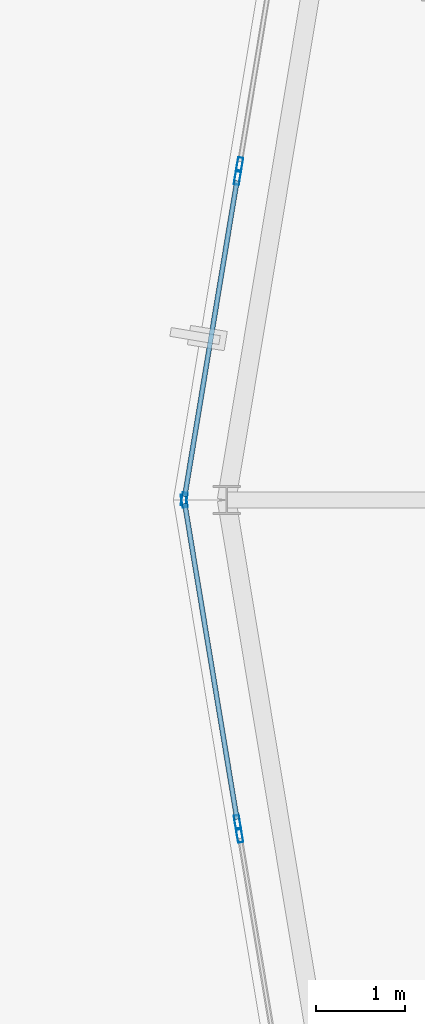
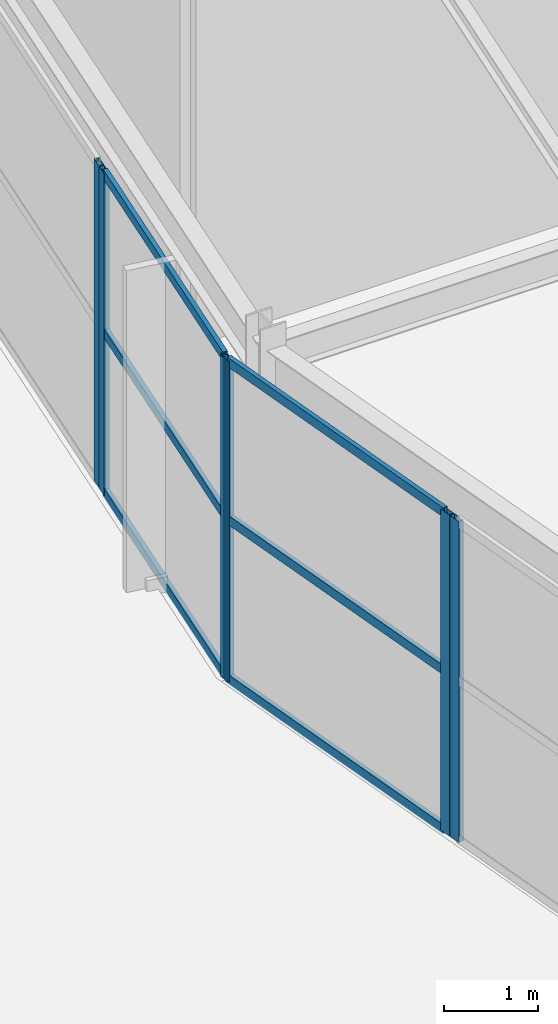
# One storey, part 31 of 126: 12 members, 4 elements without a shape of their own.
"""IFC4 building model written with IfcOpenShell, lengths in metres."""

from ifc_helpers import new_model, si_unit, direction, frame, origin, origin_2d, place, context, subcontext, project, spatial, hollow_rectangle, extrude, material, layer, layer_set, material_profile, profile_set, type_object, element, aggregate, save


model = new_model("IFC4")

# Units and contexts
model_context = context("Model", 3, precision=1e-05, world=origin(), true_north=direction((0.0, 1.0)))
body_context = subcontext(model_context, "Body", "Model", "MODEL_VIEW")
ifc_project = project(units=[si_unit("LENGTHUNIT", "METRE"), si_unit("AREAUNIT", "SQUARE_METRE"), si_unit("VOLUMEUNIT", "CUBIC_METRE"), si_unit("PLANEANGLEUNIT", "RADIAN"), si_unit("MASSUNIT", "GRAM", prefix="KILO")], contexts=[model_context])

# Site, building, storey
site_placement = place(None, origin())
site = spatial("IfcSite", under=ifc_project, at=site_placement, CompositionType="ELEMENT")
building_placement = place(site_placement, origin())
building = spatial("IfcBuilding", under=site, at=building_placement, Name="Kalgoora Escarpment Arena", CompositionType="ELEMENT")
storey_placement = place(building_placement, frame((0.0, 0.0, 18.89990234375)))
storey = spatial("IfcBuildingStorey", under=building, at=storey_placement, Name="L04", CompositionType="ELEMENT", Elevation=18.89990234375)

# Curtain wall, member
ifc_material_1 = material(Name=" Champagne anodised aluminium & double-glazed low-E", Category="aluminium")
ifc_layer_1 = layer(ifc_material_1, 0.157958984375)
ifc_layer_set_1 = layer_set([ifc_layer_1], Name="CW-UNIT-17")
curtain_wall_type_1 = type_object("IfcCurtainWallType", Name="CW-UNIT-17", PredefinedType="NOTDEFINED", material=ifc_layer_set_1)
curtain_wall_1_placement = place(storey_placement, origin())
curtain_wall_1 = element("IfcCurtainWall", 1, at=curtain_wall_1_placement, inside=storey, type_object=curtain_wall_type_1, Name="L04 unitised facade curtain wall 136", PredefinedType="NOTDEFINED")
ifc_material_2 = material(Name="Anodised aluminium 6063-T6", Category="aluminium")
ifc_material_profile_1 = material_profile(ifc_material_2, hollow_rectangle(XDim=0.06005859375, YDim=0.14990234375, WallThickness=0.00341796875, at=origin_2d()))
ifc_profile_set_1 = profile_set([ifc_material_profile_1], Name="Anodised aluminium 6063-T6")
member_type_1 = type_object("IfcMemberType", Name="MEM-CW-MULL-150", PredefinedType="MULLION", material=ifc_profile_set_1)
member_1_placement = place(storey_placement, frame((20.748291015625, 60.213623046875, 0.02001953125), z_axis=(0.0, 0.0, 1.0), x_axis=(-0.986584326831, -0.163252461087, 0.0)))
member_1 = element("IfcMember", 2, at=member_1_placement, type_object=member_type_1, Name="CW-17 mullion 2", PredefinedType="MULLION", context=body_context, shape_type="SweptSolid", body=[
    extrude(hollow_rectangle(XDim=0.06005859375, YDim=0.14990234375, WallThickness=0.00341796875, at=origin_2d()), origin(), (0.0, 0.0, 1.0), 4.150146484375),
])
aggregate(curtain_wall_1, [member_1])

# Curtain wall, members
ifc_material_3 = material(Name=" Champagne anodised aluminium & double-glazed low-E", Category="aluminium")
ifc_layer_2 = layer(ifc_material_3, 0.162109375)
ifc_layer_set_2 = layer_set([ifc_layer_2], Name="CW-UNIT-18")
curtain_wall_type_2 = type_object("IfcCurtainWallType", Name="CW-UNIT-18", PredefinedType="NOTDEFINED", material=ifc_layer_set_2)
curtain_wall_2_placement = place(storey_placement, origin())
curtain_wall_2 = element("IfcCurtainWall", 3, at=curtain_wall_2_placement, inside=storey, type_object=curtain_wall_type_2, Name="L04 unitised facade curtain wall 137", PredefinedType="NOTDEFINED")
member_2_placement = place(storey_placement, frame((20.72216796875, 60.37158203125, 0.02001953125), z_axis=(0.0, 0.0, 1.0), x_axis=(-0.986582502951, -0.163263482966, 0.0)))
member_2 = element("IfcMember", 4, at=member_2_placement, type_object=member_type_1, Name="CW-18 mullion 1", PredefinedType="MULLION", context=body_context, shape_type="SweptSolid", body=[
    extrude(hollow_rectangle(XDim=0.06005859375, YDim=0.14990234375, WallThickness=0.00341796875, at=origin_2d()), origin(), (0.0, 0.0, 1.0), 4.150146484375),
])
member_3_placement = place(storey_placement, frame((20.123291015625, 63.989990234375, 0.02001953125), z_axis=(0.0, 0.0, 1.0), x_axis=(-0.986582502951, -0.163263482966, 0.0)))
member_3 = element("IfcMember", 5, at=member_3_placement, type_object=member_type_1, Name="CW-18 mullion 2", PredefinedType="MULLION", context=body_context, shape_type="SweptSolid", body=[
    extrude(hollow_rectangle(XDim=0.06005859375, YDim=0.14990234375, WallThickness=0.00341796875, at=origin_2d()), origin(), (0.0, 0.0, 1.0), 4.150146484375),
])

ifc_material_4 = material(Name=" Champagne anodised aluminium & double-glazed low-E", Category="aluminium")
ifc_layer_3 = layer(ifc_material_4, 0.166015625)
ifc_layer_set_3 = layer_set([ifc_layer_3], Name="CW-UNIT-19")
curtain_wall_type_3 = type_object("IfcCurtainWallType", Name="CW-UNIT-19", PredefinedType="NOTDEFINED", material=ifc_layer_set_3)
curtain_wall_3_placement = place(storey_placement, origin())
curtain_wall_3 = element("IfcCurtainWall", 6, at=curtain_wall_3_placement, inside=storey, type_object=curtain_wall_type_3, Name="L04 unitised facade curtain wall 138", PredefinedType="NOTDEFINED")
member_4_placement = place(storey_placement, frame((20.123291015625, 64.010009765625, 0.02001953125), z_axis=(0.0, 0.0, 1.0), x_axis=(-0.986582502951, 0.163263482966, 0.0)))
member_4 = element("IfcMember", 7, at=member_4_placement, type_object=member_type_1, Name="CW-19 mullion 1", PredefinedType="MULLION", context=body_context, shape_type="SweptSolid", body=[
    extrude(hollow_rectangle(XDim=0.06005859375, YDim=0.14990234375, WallThickness=0.00341796875, at=origin_2d()), origin(), (0.0, 0.0, 1.0), 4.16015625),
])
member_5_placement = place(storey_placement, frame((20.72216796875, 67.62841796875, 0.02001953125), z_axis=(0.0, 0.0, 1.0), x_axis=(-0.986582502951, 0.163263482966, 0.0)))
member_5 = element("IfcMember", 8, at=member_5_placement, type_object=member_type_1, Name="CW-19 mullion 2", PredefinedType="MULLION", context=body_context, shape_type="SweptSolid", body=[
    extrude(hollow_rectangle(XDim=0.06005859375, YDim=0.14990234375, WallThickness=0.00341796875, at=origin_2d()), origin(), (0.0, 0.0, 1.0), 4.16015625),
])

# Curtain wall, member
ifc_material_5 = material(Name=" Champagne anodised aluminium & double-glazed low-E", Category="aluminium")
ifc_layer_4 = layer(ifc_material_5, 0.14990234375)
ifc_layer_set_4 = layer_set([ifc_layer_4], Name="CW-UNIT-20")
curtain_wall_type_4 = type_object("IfcCurtainWallType", Name="CW-UNIT-20", PredefinedType="NOTDEFINED", material=ifc_layer_set_4)
curtain_wall_4_placement = place(storey_placement, origin())
curtain_wall_4 = element("IfcCurtainWall", 9, at=curtain_wall_4_placement, inside=storey, type_object=curtain_wall_type_4, Name="L04 unitised facade curtain wall 139", PredefinedType="NOTDEFINED")
member_6_placement = place(storey_placement, frame((20.748291015625, 67.786376953125, 0.02001953125), z_axis=(0.0, 0.0, 1.0), x_axis=(-0.986584326831, 0.163252461087, 0.0)))
member_6 = element("IfcMember", 10, at=member_6_placement, type_object=member_type_1, Name="CW-20 mullion 1", PredefinedType="MULLION", context=body_context, shape_type="SweptSolid", body=[
    extrude(hollow_rectangle(XDim=0.06005859375, YDim=0.14990234375, WallThickness=0.00341796875, at=origin_2d()), origin(), (0.0, 0.0, 1.0), 4.16015625),
])
aggregate(curtain_wall_4, [member_6])

# Member
ifc_material_6 = material(Name="Anodised aluminium 6063-T6", Category="aluminium")
ifc_material_profile_2 = material_profile(ifc_material_6, hollow_rectangle(XDim=0.054931640625, YDim=0.1201171875, WallThickness=0.003173828125, at=origin_2d()))
ifc_profile_set_2 = profile_set([ifc_material_profile_2], Name="Anodised aluminium 6063-T6")
member_type_2 = type_object("IfcMemberType", Name="MEM-CW-TRAN-120", PredefinedType="USERDEFINED", material=ifc_profile_set_2)
member_7_placement = place(storey_placement, frame((20.71728515625, 60.401123046875, 0.047607421875), z_axis=(-0.163290539454, 0.986578025158, 0.0), x_axis=(-0.986578025158, -0.163290539454, 0.0)))
member_7 = element("IfcMember", 11, at=member_7_placement, type_object=member_type_2, Name="CW-18 transom 1.1", ObjectType="TRANSOM", PredefinedType="USERDEFINED", context=body_context, shape_type="SweptSolid", body=[
    extrude(hollow_rectangle(XDim=0.054931640625, YDim=0.1201171875, WallThickness=0.003173828125, at=origin_2d()), origin(), (0.0, 0.0, 1.0), 3.607666015625),
])

member_8_placement = place(storey_placement, frame((20.71728515625, 60.401123046875, 2.10498046875), z_axis=(-0.163290539454, 0.986578025158, 0.0), x_axis=(-0.986578025158, -0.163290539454, 0.0)))
member_8 = element("IfcMember", 12, at=member_8_placement, type_object=member_type_2, Name="CW-18 transom 1.2", ObjectType="TRANSOM", PredefinedType="USERDEFINED", context=body_context, shape_type="SweptSolid", body=[
    extrude(hollow_rectangle(XDim=0.054931640625, YDim=0.1201171875, WallThickness=0.003173828125, at=origin_2d()), origin(), (0.0, 0.0, 1.0), 3.607666015625),
])

member_9_placement = place(storey_placement, frame((20.71728515625, 60.401123046875, 4.142578125), z_axis=(-0.163290539454, 0.986578025158, 0.0), x_axis=(-0.986578025158, -0.163290539454, 0.0)))
member_9 = element("IfcMember", 13, at=member_9_placement, type_object=member_type_2, Name="CW-18 transom 1.3", ObjectType="TRANSOM", PredefinedType="USERDEFINED", context=body_context, shape_type="SweptSolid", body=[
    extrude(hollow_rectangle(XDim=0.054931640625, YDim=0.1201171875, WallThickness=0.003173828125, at=origin_2d()), origin(), (0.0, 0.0, 1.0), 3.607666015625),
])

aggregate(curtain_wall_2, [member_2, member_3, member_7, member_8, member_9])

member_10_placement = place(storey_placement, frame((20.128173828125, 64.03955078125, 0.047607421875), z_axis=(0.163290539454, 0.986578025158, 0.0), x_axis=(-0.986578025158, 0.163290539454, 0.0)))
member_10 = element("IfcMember", 14, at=member_10_placement, type_object=member_type_2, Name="CW-19 transom 1.1", ObjectType="TRANSOM", PredefinedType="USERDEFINED", context=body_context, shape_type="SweptSolid", body=[
    extrude(hollow_rectangle(XDim=0.054931640625, YDim=0.1201171875, WallThickness=0.003173828125, at=origin_2d()), origin(), (0.0, 0.0, 1.0), 3.607666015625),
])

member_11_placement = place(storey_placement, frame((20.128173828125, 64.03955078125, 2.110107421875), z_axis=(0.163290539454, 0.986578025158, 0.0), x_axis=(-0.986578025158, 0.163290539454, 0.0)))
member_11 = element("IfcMember", 15, at=member_11_placement, type_object=member_type_2, Name="CW-19 transom 1.2", ObjectType="TRANSOM", PredefinedType="USERDEFINED", context=body_context, shape_type="SweptSolid", body=[
    extrude(hollow_rectangle(XDim=0.054931640625, YDim=0.1201171875, WallThickness=0.003173828125, at=origin_2d()), origin(), (0.0, 0.0, 1.0), 3.607666015625),
])

member_12_placement = place(storey_placement, frame((20.128173828125, 64.03955078125, 4.152587890625), z_axis=(0.163290539454, 0.986578025158, 0.0), x_axis=(-0.986578025158, 0.163290539454, 0.0)))
member_12 = element("IfcMember", 16, at=member_12_placement, type_object=member_type_2, Name="CW-19 transom 1.3", ObjectType="TRANSOM", PredefinedType="USERDEFINED", context=body_context, shape_type="SweptSolid", body=[
    extrude(hollow_rectangle(XDim=0.054931640625, YDim=0.1201171875, WallThickness=0.003173828125, at=origin_2d()), origin(), (0.0, 0.0, 1.0), 3.607666015625),
])

aggregate(curtain_wall_3, [member_4, member_5, member_10, member_11, member_12])

save(model, "model.ifc")
